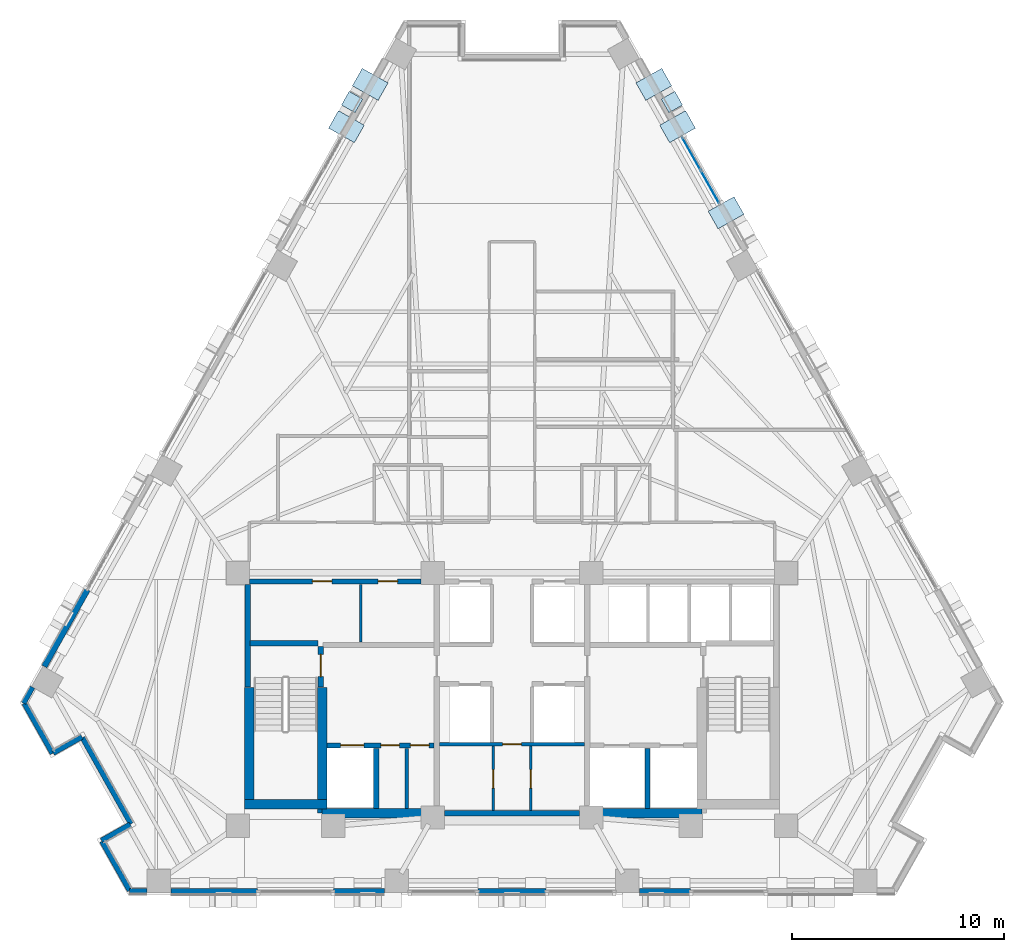
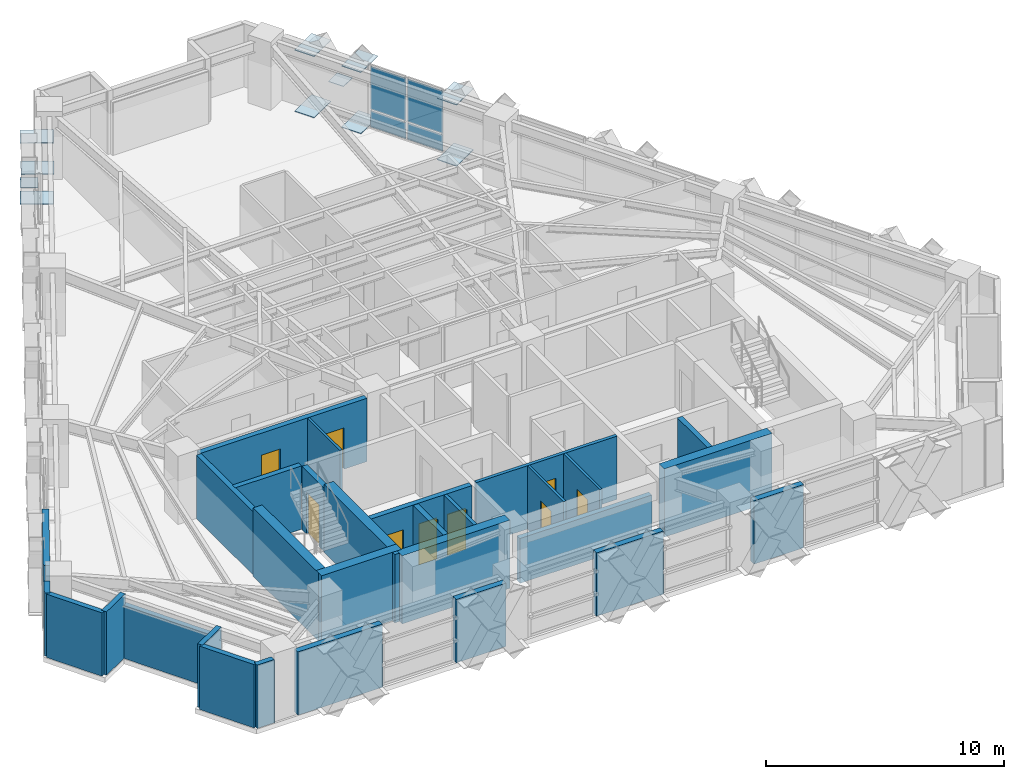
# One storey, part 7 of 14: 30 walls, 15 plates, 9 doors, 9 openings, 1 element without a shape of its own.
"""IFC4 building model written with IfcOpenShell, lengths in metres."""

from ifc_helpers import new_model, si_unit, direction, frame, frame_2d, origin, origin_2d, place, context, subcontext, project, spatial, rectangle, extrude, material, layer, layer_set, type_object, element, fill, aggregate, save


model = new_model("IFC4")

# Units and contexts
model_context = context("Model", 3, precision=1e-05, world=origin(), true_north=direction((0.0, 1.0)))
body_context = subcontext(model_context, "Body", "Model", "MODEL_VIEW")
ifc_project = project(units=[si_unit("LENGTHUNIT", "METRE"), si_unit("AREAUNIT", "SQUARE_METRE"), si_unit("VOLUMEUNIT", "CUBIC_METRE"), si_unit("PLANEANGLEUNIT", "RADIAN"), si_unit("MASSUNIT", "GRAM", prefix="KILO")], contexts=[model_context])

# Site, building, storey
site_placement = place(None, origin())
site = spatial("IfcSite", under=ifc_project, at=site_placement, CompositionType="ELEMENT")
building_placement = place(site_placement, origin())
building = spatial("IfcBuilding", under=site, at=building_placement, Name="Quenlor Broadcast Tower", CompositionType="ELEMENT")
storey_placement = place(building_placement, frame((0.0, 0.0, 112.5)))
storey = spatial("IfcBuildingStorey", under=building, at=storey_placement, Name="L30", CompositionType="ELEMENT", Elevation=112.5)

# Curtain wall, plates
ifc_material_1 = material(Name="Architectural Terracotta and Low-E Glazing", Category="masonry")
curtain_wall_type = type_object("IfcCurtainWallType", Name="Unitised Terracotta Curtain Wall System Z2", PredefinedType="NOTDEFINED", material=ifc_material_1)
curtain_wall_placement = place(storey_placement, origin())
curtain_wall = element("IfcCurtainWall", 1, at=curtain_wall_placement, inside=storey, type_object=curtain_wall_type, Name="L30 Curtain Wall CW2 (L30-NEA-G1)", PredefinedType="NOTDEFINED")
ifc_material_2 = material(Name="Double Glazed Low-E Solar Glass", Category="glass")
ifc_layer_1 = layer(ifc_material_2, 0.030029296875)
ifc_layer_set_1 = layer_set([ifc_layer_1], Name="CW2 Double Glazed Vision Panel 30")
plate_type_1 = type_object("IfcPlateType", Name="CW2 Double Glazed Vision Panel 30", PredefinedType="CURTAIN_PANEL", material=ifc_layer_set_1)
plate_1_placement = place(storey_placement, frame((8.473388671875, 15.009765625, 0.074951171875), z_axis=(0.0, 0.0, 1.0), x_axis=(0.490265104904, -0.871573362898, 0.0)))
plate_1 = element("IfcPlate", 2, at=plate_1_placement, type_object=plate_type_1, Name="CW2 panel 1.1", PredefinedType="CURTAIN_PANEL", context=body_context, shape_type="SweptSolid", body=[
    extrude(rectangle(XDim=1.72998046875, YDim=0.030029296875, at=origin_2d()), origin(), (0.0, 0.0, 1.0), 0.83740234375),
])
plate_2_placement = place(storey_placement, frame((8.473388671875, 15.009765625, 0.987548828125), z_axis=(0.0, 0.0, 1.0), x_axis=(0.490265104904, -0.871573362898, 0.0)))
plate_2 = element("IfcPlate", 3, at=plate_2_placement, type_object=plate_type_1, Name="CW2 panel 1.2", PredefinedType="CURTAIN_PANEL", context=body_context, shape_type="SweptSolid", body=[
    extrude(rectangle(XDim=1.72998046875, YDim=0.030029296875, at=origin_2d()), origin(), (0.0, 0.0, 1.0), 2.1875),
])
plate_3_placement = place(storey_placement, frame((9.3583984375, 13.4365234375, 0.074951171875), z_axis=(0.0, 0.0, 1.0), x_axis=(0.490265104904, -0.871573362898, 0.0)))
plate_3 = element("IfcPlate", 4, at=plate_3_placement, type_object=plate_type_1, Name="CW2 panel 2.1", PredefinedType="CURTAIN_PANEL", context=body_context, shape_type="SweptSolid", body=[
    extrude(rectangle(XDim=1.72998046875, YDim=0.030029296875, at=origin_2d()), origin(), (0.0, 0.0, 1.0), 0.83740234375),
])
plate_4_placement = place(storey_placement, frame((9.3583984375, 13.4365234375, 0.987548828125), z_axis=(0.0, 0.0, 1.0), x_axis=(0.490265104904, -0.871573362898, 0.0)))
plate_4 = element("IfcPlate", 5, at=plate_4_placement, type_object=plate_type_1, Name="CW2 panel 2.2", PredefinedType="CURTAIN_PANEL", context=body_context, shape_type="SweptSolid", body=[
    extrude(rectangle(XDim=1.72998046875, YDim=0.030029296875, at=origin_2d()), origin(), (0.0, 0.0, 1.0), 2.1875),
])
aggregate(curtain_wall, [plate_1, plate_2, plate_3, plate_4])

# Plates
ifc_material_3 = material(Name="Steel S355", Category="steel")
ifc_layer_2 = layer(ifc_material_3, 0.028076171875)
ifc_layer_set_2 = layer_set([ifc_layer_2], Name="Perimeter Lattice Node Steel S355 Cap Plate 740x740x28")
plate_type_2 = type_object("IfcPlateType", Name="Perimeter Lattice Node Steel S355 Cap Plate 740x740x28", PredefinedType="USERDEFINED", material=ifc_layer_set_2)
for number, where, z_axis, x_axis, name in (
    (6, (7.5537109375, 17.45068359375, 1.61572265625), (0.0, 0.0, 1.0), (0.490295412055, -0.871556314255, 0.0), "L30 Diamond Lattice Crossing Node NE-C1"),
    (7, (-7.5537109375, 17.45068359375, 1.61572265625), (0.0, 0.0, 1.0), (0.490295412055, 0.871556314255, 0.0), "L30 Diamond Lattice Crossing Node NW-C5"),
):
    element("IfcPlate", number, at=place(storey_placement, frame(where, z_axis=z_axis, x_axis=x_axis)), inside=storey, type_object=plate_type_2, Name=name, ObjectType="CAP PLATE", PredefinedType="USERDEFINED", context=body_context, shape_type="SweptSolid", body=[
        extrude(rectangle(XDim=0.739990234375, YDim=0.739990234375, at=origin_2d()), origin(), (0.0, 0.0, 1.0), 0.028076171875),
    ])
ifc_material_4 = material(Name="Steel S355", Category="steel")
ifc_layer_3 = layer(ifc_material_4, 0.035888671875)
ifc_layer_set_3 = layer_set([ifc_layer_3], Name="Transfer Truss Steel S355 Gusset Node Plate 1400x950x36")
plate_type_3 = type_object("IfcPlateType", Name="Transfer Truss Steel S355 Gusset Node Plate 1400x950x36", PredefinedType="SHEET", material=ifc_layer_set_3)
for number, where, z_axis, x_axis, name in (
    (8, (6.69970703125, 18.28564453125, 0.0419921875), (0.0, 0.0, 1.0), (0.871556314255, 0.490295412055, 0.0), "L30 Lattice Tie Gusset Node NE-B1"),
    (9, (7.823486328125, 16.287353515625, 3.18212890625), (0.0, 0.0, 1.0), (0.871556314255, 0.490295412055, 0.0), "L30 Lattice Tie Gusset Node NE-T2"),
    (10, (7.823486328125, 16.287353515625, 0.0419921875), (0.0, 0.0, 1.0), (0.871556314255, 0.490295412055, 0.0), "L30 Lattice Tie Gusset Node NE-B2"),
    (11, (6.69970703125, 18.28564453125, 3.18212890625), (0.0, 0.0, 1.0), (0.871556314255, 0.490295412055, 0.0), "L30 Lattice Tie Gusset Node NE-T1"),
    (12, (10.11279296875, 12.218017578125, 0.0419921875), (0.0, 0.0, 1.0), (0.871556314255, 0.490295412055, 0.0), "L30 Lattice Tie Gusset Node NE-B4"),
    (13, (10.11279296875, 12.218017578125, 3.18212890625), (0.0, 0.0, 1.0), (0.871556314255, 0.490295412055, 0.0), "L30 Lattice Tie Gusset Node NE-T4"),
    (14, (-6.69970703125, 18.28564453125, 3.18212890625), (0.0, 0.0, 1.0), (-0.871556314255, 0.490295412055, 0.0), "L30 Lattice Tie Gusset Node NW-T14"),
    (15, (-6.69970703125, 18.28564453125, 0.0419921875), (0.0, 0.0, 1.0), (-0.871556314255, 0.490295412055, 0.0), "L30 Lattice Tie Gusset Node NW-B14"),
    (16, (-7.823486328125, 16.287353515625, 3.18212890625), (0.0, 0.0, 1.0), (-0.871556314255, 0.490295412055, 0.0), "L30 Lattice Tie Gusset Node NW-T13"),
):
    element("IfcPlate", number, at=place(storey_placement, frame(where, z_axis=z_axis, x_axis=x_axis)), inside=storey, type_object=plate_type_3, Name=name, PredefinedType="SHEET", context=body_context, shape_type="SweptSolid", body=[
        extrude(rectangle(XDim=1.39990234375, YDim=0.949951171875, at=origin_2d()), origin(), (0.0, 0.0, 1.0), 0.035888671875),
    ])

# Walls
ifc_material_5 = material(Name="Concrete C50/60", Category="concrete")
ifc_layer_4 = layer(ifc_material_5, 0.449951171875)
ifc_layer_set_4 = layer_set([ifc_layer_4], Name="Core Concrete C50/60 Shear Wall 450")
wall_type_1 = type_object("IfcWallType", Name="Core Concrete C50/60 Shear Wall 450", PredefinedType="SHEAR", material=ifc_layer_set_4)
wall_1_placement = place(storey_placement, frame((-12.64990234375, -15.72509765625, 0.0), z_axis=(0.0, 0.0, 1.0), x_axis=(1.0, 0.0, 0.0)))
element("IfcWall", 17, at=wall_1_placement, inside=storey, type_object=wall_type_1, Name="L30 Core Shear Wall WS-W1", PredefinedType="SHEAR", context=body_context, shape_type="SweptSolid", body=[
    extrude(rectangle(XDim=3.89990234375, YDim=0.449951171875, at=frame_2d((1.949951171875, 0.0))), origin(), (0.0, 0.0, 1.0), 3.5),
])
for number, where, z_axis, x_axis, name in (
    (18, (-8.97509765625, -16.14990234375, 0.0), (0.0, 0.0, 1.0), (1.0, 0.0, 0.0), "L30 Core Shear Wall WS-W2"),
    (19, (3.75, -16.14990234375, 0.0), (0.0, 0.0, 1.0), (1.0, 0.0, 0.0), "L30 Core Shear Wall WS-E1"),
):
    element("IfcWall", number, at=place(storey_placement, frame(where, z_axis=z_axis, x_axis=x_axis)), inside=storey, type_object=wall_type_1, Name=name, PredefinedType="SHEAR", context=body_context, shape_type="SweptSolid", body=[
        extrude(rectangle(XDim=5.22509765625, YDim=0.449951171875, at=frame_2d((2.612548828125, 0.0))), origin(), (0.0, 0.0, 1.0), 3.5),
    ])
wall_2_placement = place(storey_placement, frame((-12.425048828125, -15.72509765625, 0.0), z_axis=(0.0, 0.0, 1.0), x_axis=(0.0, 1.0, 0.0)))
element("IfcWall", 20, at=wall_2_placement, inside=storey, type_object=wall_type_1, Name="L30 Core Shear Wall WF-W", PredefinedType="SHEAR", context=body_context, shape_type="SweptSolid", body=[
    extrude(rectangle(XDim=5.525146484375, YDim=0.449951171875, at=frame_2d((2.7626953125, 0.0))), origin(), (0.0, 0.0, 1.0), 3.5),
])
wall_3_placement = place(storey_placement, frame((-8.97509765625, -16.14990234375, 0.0), z_axis=(0.0, 0.0, 1.0), x_axis=(0.0, 1.0, 0.0)))
element("IfcWall", 21, at=wall_3_placement, inside=storey, type_object=wall_type_1, Name="L30 Core Shear Wall WI-W", PredefinedType="SHEAR", context=body_context, shape_type="SweptSolid", body=[
    extrude(rectangle(XDim=5.949951171875, YDim=0.449951171875, at=frame_2d((2.97509765625, 0.0))), origin(), (0.0, 0.0, 1.0), 3.5),
])

# Wall, opening, door
ifc_material_6 = material(Name="Concrete C40/50", Category="concrete")
ifc_layer_5 = layer(ifc_material_6, 0.25)
ifc_layer_set_5 = layer_set([ifc_layer_5], Name="Fire Rated Concrete C40/50 Core Wall 250")
wall_type_2 = type_object("IfcWallType", Name="Fire Rated Concrete C40/50 Core Wall 250", PredefinedType="PARTITIONING", material=ifc_layer_set_5)
wall_4_placement = place(storey_placement, frame((-9.0400390625, -10.179931640625, 0.0), z_axis=(0.0, 0.0, 1.0), x_axis=(0.0, 1.0, 0.0)))
wall_4 = element("IfcWall", 22, at=wall_4_placement, inside=storey, type_object=wall_type_2, Name="L30 Interior Wall CW-ST1-DR", PredefinedType="PARTITIONING", context=body_context, shape_type="SweptSolid", body=[
    extrude(rectangle(XDim=1.89990234375, YDim=0.25, at=frame_2d((0.949951171875, 0.0))), origin(), (0.0, 0.0, 1.0), 3.25),
])
opening_1_placement = place(wall_4_placement, frame((0.47998046875, 0.0, 0.0)))
opening_1 = element("IfcOpeningElement", 23, at=opening_1_placement, cuts=wall_4, Name="Opening FD-1", PredefinedType="OPENING", context=body_context, shape_type="SweptSolid", body=[
    extrude(rectangle(XDim=1.050048828125, YDim=2.14990234375, at=frame_2d((0.52490234375, 1.074951171875))), frame((0.0, 0.135009765625, 0.0), z_axis=(0.0, -1.0, 0.0), x_axis=(1.0, 0.0, 0.0)), (0.0, 0.0, 1.0), 0.27001953125),
])
ifc_material_7 = material(Name="Fire Rated Steel Door Leaf", Category="steel")
door_type_1 = type_object("IfcDoorType", Name="Fire Isolated Stair Door 1050x2150", OperationType="NOTDEFINED", PredefinedType="DOOR", material=ifc_material_7)
door_1_placement = place(opening_1_placement, origin())
door_1 = element("IfcDoor", 24, at=door_1_placement, inside=storey, type_object=door_type_1, Name="L30 Door DR-ST1", OperationType="SINGLE_SWING_LEFT", OverallHeight=2.14990234375, OverallWidth=1.050048828125, PredefinedType="DOOR", context=body_context, shape_type="SweptSolid", body=[
    extrude(rectangle(XDim=1.050048828125, YDim=2.14990234375, at=frame_2d((0.52490234375, 1.074951171875))), frame((0.0, 0.02490234375, 0.0), z_axis=(0.0, -1.0, 0.0), x_axis=(1.0, 0.0, 0.0)), (0.0, 0.0, 1.0), 0.050048828125),
])
fill(opening_1, door_1)

# Walls
wall_5_placement = place(storey_placement, frame((-12.3798828125, -8.1201171875, 0.0), z_axis=(0.0, 0.0, 1.0), x_axis=(1.0, 0.0, 0.0)))
element("IfcWall", 25, at=wall_5_placement, inside=storey, type_object=wall_type_2, Name="L30 Interior Wall CW-ST1-N", PredefinedType="PARTITIONING", context=body_context, shape_type="SweptSolid", body=[
    extrude(rectangle(XDim=3.219970703125, YDim=0.25, at=frame_2d((1.60986328125, 0.0))), origin(), (0.0, 0.0, 1.0), 3.25),
])
wall_6_placement = place(storey_placement, frame((-12.47998046875, -10.179931640625, 0.0), z_axis=(0.0, 0.0, 1.0), x_axis=(0.0, 1.0, 0.0)))
element("IfcWall", 26, at=wall_6_placement, inside=storey, type_object=wall_type_2, Name="L30 Interior Wall CW-ST1-W2", PredefinedType="PARTITIONING", context=body_context, shape_type="SweptSolid", body=[
    extrude(rectangle(XDim=4.827880859375, YDim=0.25, at=frame_2d((2.4140625, 0.0))), origin(), (0.0, 0.0, 1.0), 3.25),
])

# Wall, openings, doors
wall_7_placement = place(storey_placement, frame((-8.748046875, -12.949951171875, 0.0), z_axis=(0.0, 0.0, 1.0), x_axis=(1.0, 0.0, 0.0)))
wall_7 = element("IfcWall", 27, at=wall_7_placement, inside=storey, type_object=wall_type_2, Name="L30 Interior Wall CW-FFW-S", PredefinedType="PARTITIONING", context=body_context, shape_type="SweptSolid", body=[
    extrude(rectangle(XDim=5.068115234375, YDim=0.25, at=frame_2d((2.5341796875, 0.0))), origin(), (0.0, 0.0, 1.0), 3.25),
])
opening_2_placement = place(wall_7_placement, frame((0.64794921875, 0.0, 0.0)))
opening_2 = element("IfcOpeningElement", 28, at=opening_2_placement, cuts=wall_7, Name="Opening LD-FFL-1", PredefinedType="OPENING", context=body_context, shape_type="SweptSolid", body=[
    extrude(rectangle(XDim=1.10009765625, YDim=2.14990234375, at=frame_2d((0.550048828125, 1.074951171875))), frame((0.0, 0.135009765625, 0.0), z_axis=(0.0, -1.0, 0.0), x_axis=(1.0, 0.0, 0.0)), (0.0, 0.0, 1.0), 0.27001953125),
])
opening_3_placement = place(wall_7_placement, frame((2.548095703125, 0.0, 0.0)))
opening_3 = element("IfcOpeningElement", 29, at=opening_3_placement, cuts=wall_7, Name="Opening TD-1", PredefinedType="OPENING", context=body_context, shape_type="SweptSolid", body=[
    extrude(rectangle(XDim=0.8798828125, YDim=2.10009765625, at=frame_2d((0.43994140625, 1.050048828125))), frame((0.0, 0.135009765625, 0.0), z_axis=(0.0, -1.0, 0.0), x_axis=(1.0, 0.0, 0.0)), (0.0, 0.0, 1.0), 0.27001953125),
])
opening_4_placement = place(wall_7_placement, frame((3.947998046875, 0.0, 0.0)))
opening_4 = element("IfcOpeningElement", 30, at=opening_4_placement, cuts=wall_7, Name="Opening TD-1", PredefinedType="OPENING", context=body_context, shape_type="SweptSolid", body=[
    extrude(rectangle(XDim=0.8798828125, YDim=2.10009765625, at=frame_2d((0.43994140625, 1.050048828125))), frame((0.0, 0.135009765625, 0.0), z_axis=(0.0, -1.0, 0.0), x_axis=(1.0, 0.0, 0.0)), (0.0, 0.0, 1.0), 0.27001953125),
])
ifc_material_8 = material(Name="Brushed Stainless Steel", Category="steel")
door_type_2 = type_object("IfcDoorType", Name="Emergency Lift Sliding Landing Door 1100x2150", OperationType="NOTDEFINED", PredefinedType="DOOR", material=ifc_material_8)
door_2_placement = place(opening_2_placement, origin())
door_2 = element("IfcDoor", 31, at=door_2_placement, inside=storey, type_object=door_type_2, Name="L30 Door LD-FFL-1", OperationType="SLIDING_TO_LEFT", OverallHeight=2.14990234375, OverallWidth=1.10009765625, PredefinedType="DOOR", context=body_context, shape_type="SweptSolid", body=[
    extrude(rectangle(XDim=1.10009765625, YDim=2.14990234375, at=frame_2d((0.550048828125, 1.074951171875))), frame((0.0, 0.02490234375, 0.0), z_axis=(0.0, -1.0, 0.0), x_axis=(1.0, 0.0, 0.0)), (0.0, 0.0, 1.0), 0.050048828125),
])
fill(opening_2, door_2)
ifc_material_9 = material(Name="Fire Rated Steel Access Panel", Category="steel")
door_type_3 = type_object("IfcDoorType", Name="Riser Shaft Rated Access Trapdoor 880x2100", OperationType="NOTDEFINED", PredefinedType="TRAPDOOR", material=ifc_material_9)
door_3_placement = place(opening_3_placement, origin())
door_3 = element("IfcDoor", 32, at=door_3_placement, inside=storey, type_object=door_type_3, Name="L30 Door DR-ELR", OperationType="SINGLE_SWING_LEFT", OverallHeight=2.10009765625, OverallWidth=0.8798828125, PredefinedType="TRAPDOOR", context=body_context, shape_type="SweptSolid", body=[
    extrude(rectangle(XDim=0.8798828125, YDim=2.10009765625, at=frame_2d((0.43994140625, 1.050048828125))), frame((0.0, 0.02490234375, 0.0), z_axis=(0.0, -1.0, 0.0), x_axis=(1.0, 0.0, 0.0)), (0.0, 0.0, 1.0), 0.050048828125),
])
fill(opening_3, door_3)
door_4_placement = place(opening_4_placement, origin())
door_4 = element("IfcDoor", 33, at=door_4_placement, inside=storey, type_object=door_type_3, Name="L30 Door DR-CMR", OperationType="SINGLE_SWING_RIGHT", OverallHeight=2.10009765625, OverallWidth=0.8798828125, PredefinedType="TRAPDOOR", context=body_context, shape_type="SweptSolid", body=[
    extrude(rectangle(XDim=0.8798828125, YDim=2.10009765625, at=frame_2d((0.43994140625, 1.050048828125))), frame((0.0, 0.02490234375, 0.0), z_axis=(0.0, -1.0, 0.0), x_axis=(1.0, 0.0, 0.0)), (0.0, 0.0, 1.0), 0.050048828125),
])
fill(opening_4, door_4)

# Walls
for number, where, z_axis, x_axis, name in (
    (34, (-6.419921875, -15.919921875, 0.0), (0.0, 0.0, 1.0), (0.0, 1.0, 0.0), "L30 Interior Wall CW-FF1-E"),
    (35, (6.39990234375, -15.919921875, 0.0), (0.0, 0.0, 1.0), (0.0, 1.0, 0.0), "L30 Interior Wall CW-SV1-E"),
):
    element("IfcWall", number, at=place(storey_placement, frame(where, z_axis=z_axis, x_axis=x_axis)), inside=storey, type_object=wall_type_2, Name=name, PredefinedType="PARTITIONING", context=body_context, shape_type="SweptSolid", body=[
        extrude(rectangle(XDim=2.829833984375, YDim=0.25, at=frame_2d((1.4150390625, 0.0))), origin(), (0.0, 0.0, 1.0), 3.25),
    ])

# Wall, openings, doors
wall_8_placement = place(storey_placement, frame((-12.39794921875, -5.199951171875, 0.0), z_axis=(0.0, 0.0, 1.0), x_axis=(1.0, 0.0, 0.0)))
wall_8 = element("IfcWall", 36, at=wall_8_placement, inside=storey, type_object=wall_type_2, Name="L30 Interior Wall CW-N-W", PredefinedType="PARTITIONING", context=body_context, shape_type="SweptSolid", body=[
    extrude(rectangle(XDim=8.095947265625, YDim=0.25, at=frame_2d((4.0478515625, 0.0))), origin(), (0.0, 0.0, 1.0), 3.25),
])
opening_5_placement = place(wall_8_placement, frame((2.968017578125, 0.0, 0.0)))
opening_5 = element("IfcOpeningElement", 37, at=opening_5_placement, cuts=wall_8, Name="Opening ID-1", PredefinedType="OPENING", context=body_context, shape_type="SweptSolid", body=[
    extrude(rectangle(XDim=0.919921875, YDim=2.1201171875, at=frame_2d((0.4599609375, 1.06005859375))), frame((0.0, 0.135009765625, 0.0), z_axis=(0.0, -1.0, 0.0), x_axis=(1.0, 0.0, 0.0)), (0.0, 0.0, 1.0), 0.27001953125),
])
opening_6_placement = place(wall_8_placement, frame((6.068115234375, 0.0, 0.0)))
opening_6 = element("IfcOpeningElement", 38, at=opening_6_placement, cuts=wall_8, Name="Opening ID-1", PredefinedType="OPENING", context=body_context, shape_type="SweptSolid", body=[
    extrude(rectangle(XDim=0.919921875, YDim=2.1201171875, at=frame_2d((0.4599609375, 1.06005859375))), frame((0.0, 0.135009765625, 0.0), z_axis=(0.0, -1.0, 0.0), x_axis=(1.0, 0.0, 0.0)), (0.0, 0.0, 1.0), 0.27001953125),
])
ifc_material_10 = material(Name="Solid Core Timber Oak", Category="wood")
door_type_4 = type_object("IfcDoorType", Name="Single Leaf Timber Office Door 920x2120", OperationType="NOTDEFINED", PredefinedType="DOOR", material=ifc_material_10)
door_5_placement = place(opening_5_placement, origin())
door_5 = element("IfcDoor", 39, at=door_5_placement, inside=storey, type_object=door_type_4, Name="L30 Door DR-RCL1", OperationType="SINGLE_SWING_LEFT", OverallHeight=2.1201171875, OverallWidth=0.919921875, PredefinedType="DOOR", context=body_context, shape_type="SweptSolid", body=[
    extrude(rectangle(XDim=0.919921875, YDim=2.1201171875, at=frame_2d((0.4599609375, 1.06005859375))), frame((0.0, 0.02490234375, 0.0), z_axis=(0.0, -1.0, 0.0), x_axis=(1.0, 0.0, 0.0)), (0.0, 0.0, 1.0), 0.050048828125),
])
fill(opening_5, door_5)
door_6_placement = place(opening_6_placement, origin())
door_6 = element("IfcDoor", 40, at=door_6_placement, inside=storey, type_object=door_type_4, Name="L30 Door DR-RCL2", OperationType="SINGLE_SWING_RIGHT", OverallHeight=2.1201171875, OverallWidth=0.919921875, PredefinedType="DOOR", context=body_context, shape_type="SweptSolid", body=[
    extrude(rectangle(XDim=0.919921875, YDim=2.1201171875, at=frame_2d((0.4599609375, 1.06005859375))), frame((0.0, 0.02490234375, 0.0), z_axis=(0.0, -1.0, 0.0), x_axis=(1.0, 0.0, 0.0)), (0.0, 0.0, 1.0), 0.050048828125),
])
fill(opening_6, door_6)

# Walls
wall_9_placement = place(storey_placement, frame((-3.197998046875, -16.14990234375, 0.0), z_axis=(0.0, 0.0, 1.0), x_axis=(1.0, 0.0, 0.0)))
element("IfcWall", 41, at=wall_9_placement, inside=storey, type_object=wall_type_2, Name="L30 Interior Wall CW-MS-S", PredefinedType="PARTITIONING", context=body_context, shape_type="SweptSolid", body=[
    extrude(rectangle(XDim=6.39599609375, YDim=0.25, at=frame_2d((3.197998046875, 0.0))), origin(), (0.0, 0.0, 1.0), 2.300048828125),
])
ifc_material_11 = material(Name="Gypsum Fireboard Partition", Category="other")
ifc_layer_6 = layer(ifc_material_11, 0.159912109375)
ifc_layer_set_6 = layer_set([ifc_layer_6], Name="Fire Rated Shaft and Corridor Partition 160")
wall_type_3 = type_object("IfcWallType", Name="Fire Rated Shaft and Corridor Partition 160", PredefinedType="PARTITIONING", material=ifc_layer_set_6)
wall_10_placement = place(storey_placement, frame((-4.97998046875, -15.919921875, 0.0), z_axis=(0.0, 0.0, 1.0), x_axis=(0.0, 1.0, 0.0)))
element("IfcWall", 42, at=wall_10_placement, inside=storey, type_object=wall_type_3, Name="L30 Interior Wall CW-ELR-E", PredefinedType="PARTITIONING", context=body_context, shape_type="SweptSolid", body=[
    extrude(rectangle(XDim=2.829833984375, YDim=0.159912109375, at=frame_2d((1.4150390625, 0.0))), origin(), (0.0, 0.0, 1.0), 3.25),
])

# Wall, opening, door
wall_11_placement = place(storey_placement, frame((-3.419921875, -12.89990234375, 0.0), z_axis=(0.0, 0.0, 1.0), x_axis=(1.0, 0.0, 0.0)))
wall_11 = element("IfcWall", 43, at=wall_11_placement, inside=storey, type_object=wall_type_3, Name="L30 Interior Wall CW-MS-B", PredefinedType="PARTITIONING", context=body_context, shape_type="SweptSolid", body=[
    extrude(rectangle(XDim=6.83984375, YDim=0.159912109375, at=frame_2d((3.419921875, 0.0))), origin(), (0.0, 0.0, 1.0), 3.25),
])
opening_7_placement = place(wall_11_placement, frame((2.97998046875, 0.0, 0.0)))
opening_7 = element("IfcOpeningElement", 44, at=opening_7_placement, cuts=wall_11, Name="Opening ID-4", PredefinedType="OPENING", context=body_context, shape_type="SweptSolid", body=[
    extrude(rectangle(XDim=0.8798828125, YDim=2.1201171875, at=frame_2d((0.43994140625, 1.06005859375))), frame((0.0, 0.08984375, 0.0), z_axis=(0.0, -1.0, 0.0), x_axis=(1.0, 0.0, 0.0)), (0.0, 0.0, 1.0), 0.179931640625),
])
ifc_material_12 = material(Name="Solid Core Timber Oak", Category="wood")
door_type_5 = type_object("IfcDoorType", Name="Service Closet Timber Door 880x2120", OperationType="NOTDEFINED", PredefinedType="DOOR", material=ifc_material_12)
door_7_placement = place(opening_7_placement, origin())
door_7 = element("IfcDoor", 45, at=door_7_placement, inside=storey, type_object=door_type_5, Name="L30 Door DR-CSV0", OperationType="SINGLE_SWING_LEFT", OverallHeight=2.1201171875, OverallWidth=0.8798828125, PredefinedType="DOOR", context=body_context, shape_type="SweptSolid", body=[
    extrude(rectangle(XDim=0.8798828125, YDim=2.1201171875, at=frame_2d((0.43994140625, 1.06005859375))), frame((0.0, 0.02490234375, 0.0), z_axis=(0.0, -1.0, 0.0), x_axis=(1.0, 0.0, 0.0)), (0.0, 0.0, 1.0), 0.050048828125),
])
fill(opening_7, door_7)

# Wall
ifc_material_13 = material(Name="Gypsum Plasterboard Partition", Category="other")
ifc_layer_7 = layer(ifc_material_13, 0.1201171875)
ifc_layer_set_7 = layer_set([ifc_layer_7], Name="Standard Office Partition 120")
wall_type_4 = type_object("IfcWallType", Name="Standard Office Partition 120", PredefinedType="PARTITIONING", material=ifc_layer_set_7)
wall_12_placement = place(storey_placement, frame((-7.14990234375, -8.072998046875, 0.0), z_axis=(0.0, 0.0, 1.0), x_axis=(0.0, 1.0, 0.0)))
element("IfcWall", 46, at=wall_12_placement, inside=storey, type_object=wall_type_4, Name="L30 Interior Wall CW-RCL-MID", PredefinedType="PARTITIONING", context=body_context, shape_type="SweptSolid", body=[
    extrude(rectangle(XDim=2.73291015625, YDim=0.1201171875, at=frame_2d((1.366455078125, 0.0))), origin(), (0.0, 0.0, 1.0), 3.25),
])

# Wall, opening, door
wall_13_placement = place(storey_placement, frame((-0.8798828125, -16.02001953125, 0.0), z_axis=(0.0, 0.0, 1.0), x_axis=(0.0, 1.0, 0.0)))
wall_13 = element("IfcWall", 47, at=wall_13_placement, inside=storey, type_object=wall_type_4, Name="L30 Interior Wall CW-CSV-W3", PredefinedType="PARTITIONING", context=body_context, shape_type="SweptSolid", body=[
    extrude(rectangle(XDim=3.0380859375, YDim=0.1201171875, at=frame_2d((1.51904296875, 0.0))), origin(), (0.0, 0.0, 1.0), 3.25),
])
opening_8_placement = place(wall_13_placement, frame((1.050048828125, 0.0, 0.0)))
opening_8 = element("IfcOpeningElement", 48, at=opening_8_placement, cuts=wall_13, Name="Opening ID-4", PredefinedType="OPENING", context=body_context, shape_type="SweptSolid", body=[
    extrude(rectangle(XDim=0.8798828125, YDim=2.1201171875, at=frame_2d((0.43994140625, 1.06005859375))), frame((0.0, 0.070068359375, 0.0), z_axis=(0.0, -1.0, 0.0), x_axis=(1.0, 0.0, 0.0)), (0.0, 0.0, 1.0), 0.14013671875),
])
door_8_placement = place(opening_8_placement, origin())
door_8 = element("IfcDoor", 49, at=door_8_placement, inside=storey, type_object=door_type_5, Name="L30 Door DR-CSV1", OperationType="SINGLE_SWING_LEFT", OverallHeight=2.1201171875, OverallWidth=0.8798828125, PredefinedType="DOOR", context=body_context, shape_type="SweptSolid", body=[
    extrude(rectangle(XDim=0.8798828125, YDim=2.1201171875, at=frame_2d((0.43994140625, 1.06005859375))), frame((0.0, 0.02490234375, 0.0), z_axis=(0.0, -1.0, 0.0), x_axis=(1.0, 0.0, 0.0)), (0.0, 0.0, 1.0), 0.050048828125),
])
fill(opening_8, door_8)

wall_14_placement = place(storey_placement, frame((0.8798828125, -16.02001953125, 0.0), z_axis=(0.0, 0.0, 1.0), x_axis=(0.0, 1.0, 0.0)))
wall_14 = element("IfcWall", 50, at=wall_14_placement, inside=storey, type_object=wall_type_4, Name="L30 Interior Wall CW-CSV-E3", PredefinedType="PARTITIONING", context=body_context, shape_type="SweptSolid", body=[
    extrude(rectangle(XDim=3.0380859375, YDim=0.1201171875, at=frame_2d((1.51904296875, 0.0))), origin(), (0.0, 0.0, 1.0), 3.25),
])
opening_9_placement = place(wall_14_placement, frame((1.050048828125, 0.0, 0.0)))
opening_9 = element("IfcOpeningElement", 51, at=opening_9_placement, cuts=wall_14, Name="Opening ID-4", PredefinedType="OPENING", context=body_context, shape_type="SweptSolid", body=[
    extrude(rectangle(XDim=0.8798828125, YDim=2.1201171875, at=frame_2d((0.43994140625, 1.06005859375))), frame((0.0, 0.070068359375, 0.0), z_axis=(0.0, -1.0, 0.0), x_axis=(1.0, 0.0, 0.0)), (0.0, 0.0, 1.0), 0.14013671875),
])
door_9_placement = place(opening_9_placement, origin())
door_9 = element("IfcDoor", 52, at=door_9_placement, inside=storey, type_object=door_type_5, Name="L30 Door DR-CSV2", OperationType="SINGLE_SWING_RIGHT", OverallHeight=2.1201171875, OverallWidth=0.8798828125, PredefinedType="DOOR", context=body_context, shape_type="SweptSolid", body=[
    extrude(rectangle(XDim=0.8798828125, YDim=2.1201171875, at=frame_2d((0.43994140625, 1.06005859375))), frame((0.0, 0.02490234375, 0.0), z_axis=(0.0, -1.0, 0.0), x_axis=(1.0, 0.0, 0.0)), (0.0, 0.0, 1.0), 0.050048828125),
])
fill(opening_9, door_9)

# Walls
ifc_material_14 = material(Name="Precast concrete C40/50", Category="concrete")
ifc_layer_8 = layer(ifc_material_14, 0.239990234375)
ifc_layer_set_8 = layer_set([ifc_layer_8], Name="Terrace Threshold Precast Concrete C40/50 Wall 240")
wall_type_5 = type_object("IfcWallType", Name="Terrace Threshold Precast Concrete C40/50 Wall 240", PredefinedType="STANDARD", material=ifc_layer_set_8)
wall_15_placement = place(storey_placement, frame((-17.24755859375, -19.840087890625, 0.0), z_axis=(0.0, 0.0, 1.0), x_axis=(-1.0, 0.0, 0.0)))
element("IfcWall", 53, at=wall_15_placement, inside=storey, type_object=wall_type_5, Name="L30 Exterior Wall L30-SHD-SS1", PredefinedType="STANDARD", context=body_context, shape_type="SweptSolid", body=[
    extrude(rectangle(XDim=0.83642578125, YDim=0.239990234375, at=frame_2d((0.418212890625, 0.0))), origin(), (0.0, 0.0, 1.0), 3.25),
])
wall_16_placement = place(storey_placement, frame((-23.078125, -10.9541015625, 0.0), z_axis=(0.0, 0.0, 1.0), x_axis=(0.490355003566, 0.871522788272, 0.0)))
element("IfcWall", 54, at=wall_16_placement, inside=storey, type_object=wall_type_5, Name="L30 Exterior Wall L30-SHD-NWS0", PredefinedType="STANDARD", context=body_context, shape_type="SweptSolid", body=[
    extrude(rectangle(XDim=0.865234375, YDim=0.239990234375, at=frame_2d((0.4326171875, 0.0))), origin(), (0.0, 0.0, 1.0), 3.25),
])
wall_17_placement = place(storey_placement, frame((-23.043701171875, -10.962890625, 0.0), z_axis=(0.0, 0.0, 1.0), x_axis=(0.490218533594, -0.871599557894, 0.0)))
element("IfcWall", 55, at=wall_17_placement, inside=storey, type_object=wall_type_5, Name="L30 Exterior Wall L30-CNR-12", PredefinedType="STANDARD", context=body_context, shape_type="SweptSolid", body=[
    extrude(rectangle(XDim=2.714111328125, YDim=0.239990234375, at=frame_2d((1.35693359375, 0.0))), origin(), (0.0, 0.0, 1.0), 3.25),
])
wall_18_placement = place(storey_placement, frame((-21.67822265625, -13.30908203125, 0.0), z_axis=(0.0, 0.0, 1.0), x_axis=(0.871546278971, 0.490313250496, 0.0)))
element("IfcWall", 56, at=wall_18_placement, inside=storey, type_object=wall_type_5, Name="L30 Exterior Wall L30-CNR-13", PredefinedType="STANDARD", context=body_context, shape_type="SweptSolid", body=[
    extrude(rectangle(XDim=1.56005859375, YDim=0.239990234375, at=frame_2d((0.780029296875, 0.0))), origin(), (0.0, 0.0, 1.0), 3.25),
])
wall_19_placement = place(storey_placement, frame((-20.299072265625, -12.5791015625, 0.0), z_axis=(0.0, 0.0, 1.0), x_axis=(0.490313250496, -0.871546278971, 0.0)))
element("IfcWall", 57, at=wall_19_placement, inside=storey, type_object=wall_type_5, Name="L30 Exterior Wall L30-CNR-14", PredefinedType="STANDARD", context=body_context, shape_type="SweptSolid", body=[
    extrude(rectangle(XDim=4.679931640625, YDim=0.239990234375, at=frame_2d((2.33984375, 0.0))), origin(), (0.0, 0.0, 1.0), 2.7216796875),
])
wall_20_placement = place(storey_placement, frame((-18.039306640625, -16.677490234375, 0.0), z_axis=(0.0, 0.0, 1.0), x_axis=(-0.871546278971, -0.490313250496, 0.0)))
element("IfcWall", 58, at=wall_20_placement, inside=storey, type_object=wall_type_5, Name="L30 Exterior Wall L30-CNR-15", PredefinedType="STANDARD", context=body_context, shape_type="SweptSolid", body=[
    extrude(rectangle(XDim=1.56005859375, YDim=0.239990234375, at=frame_2d((0.780029296875, 0.0))), origin(), (0.0, 0.0, 1.0), 3.25),
])
wall_21_placement = place(storey_placement, frame((-19.37939453125, -17.477294921875, 0.0), z_axis=(0.0, 0.0, 1.0), x_axis=(0.49023085981, -0.871592625078, 0.0)))
element("IfcWall", 59, at=wall_21_placement, inside=storey, type_object=wall_type_5, Name="L30 Exterior Wall L30-CNR-16", PredefinedType="STANDARD", context=body_context, shape_type="SweptSolid", body=[
    extrude(rectangle(XDim=2.6708984375, YDim=0.239990234375, at=frame_2d((1.33544921875, 0.0))), origin(), (0.0, 0.0, 1.0), 3.25),
])
ifc_material_15 = material(Name="Precast concrete C40/50", Category="concrete")
ifc_layer_9 = layer(ifc_material_15, 0.280029296875)
ifc_layer_set_9 = layer_set([ifc_layer_9], Name="Terracotta Precast Concrete C40/50 Facade Wall 280")
wall_type_6 = type_object("IfcWallType", Name="Terracotta Precast Concrete C40/50 Facade Wall 280", PredefinedType="STANDARD", material=ifc_layer_set_9)
for number, where, z_axis, x_axis, name in (
    (60, (8.43359375, -19.840087890625, 0.0), (0.0, 0.0, 1.0), (-1.0, 0.0, 0.0), "L30 Exterior Wall L30-SA-SP2"),
    (61, (-6.018310546875, -19.840087890625, 0.0), (0.0, 0.0, 1.0), (-1.0, 0.0, 0.0), "L30 Exterior Wall L30-SC-SP1"),
):
    element("IfcWall", number, at=place(storey_placement, frame(where, z_axis=z_axis, x_axis=x_axis)), inside=storey, type_object=wall_type_6, Name=name, PredefinedType="STANDARD", context=body_context, shape_type="SweptSolid", body=[
        extrude(rectangle(XDim=2.415283203125, YDim=0.280029296875, at=frame_2d((1.20751953125, 0.0))), origin(), (0.0, 0.0, 1.0), 3.25),
    ])
wall_22_placement = place(storey_placement, frame((-12.019287109375, -19.840087890625, 0.0), z_axis=(0.0, 0.0, 1.0), x_axis=(-1.0, 0.0, 0.0)))
element("IfcWall", 62, at=wall_22_placement, inside=storey, type_object=wall_type_6, Name="L30 Exterior Wall L30-SC-SP2", PredefinedType="STANDARD", context=body_context, shape_type="SweptSolid", body=[
    extrude(rectangle(XDim=4.09814453125, YDim=0.280029296875, at=frame_2d((2.049072265625, 0.0))), origin(), (0.0, 0.0, 1.0), 3.25),
])
wall_23_placement = place(storey_placement, frame((1.615966796875, -19.840087890625, 0.0), z_axis=(0.0, 0.0, 1.0), x_axis=(-1.0, 0.0, 0.0)))
element("IfcWall", 63, at=wall_23_placement, inside=storey, type_object=wall_type_6, Name="L30 Exterior Wall L30-S-SP1", PredefinedType="STANDARD", context=body_context, shape_type="SweptSolid", body=[
    extrude(rectangle(XDim=3.23193359375, YDim=0.280029296875, at=frame_2d((1.615966796875, 0.0))), origin(), (0.0, 0.0, 1.0), 3.25),
])
wall_24_placement = place(storey_placement, frame((-22.099853515625, -9.215087890625, 0.0), z_axis=(0.0, 0.0, 1.0), x_axis=(0.490255672477, 0.871578668626, 0.0)))
element("IfcWall", 64, at=wall_24_placement, inside=storey, type_object=wall_type_6, Name="L30 Exterior Wall L30-NWA-SP1", PredefinedType="STANDARD", context=body_context, shape_type="SweptSolid", body=[
    extrude(rectangle(XDim=4.1640625, YDim=0.280029296875, at=frame_2d((2.08203125, 0.0))), origin(), (0.0, 0.0, 1.0), 3.25),
])

save(model, "model.ifc")
